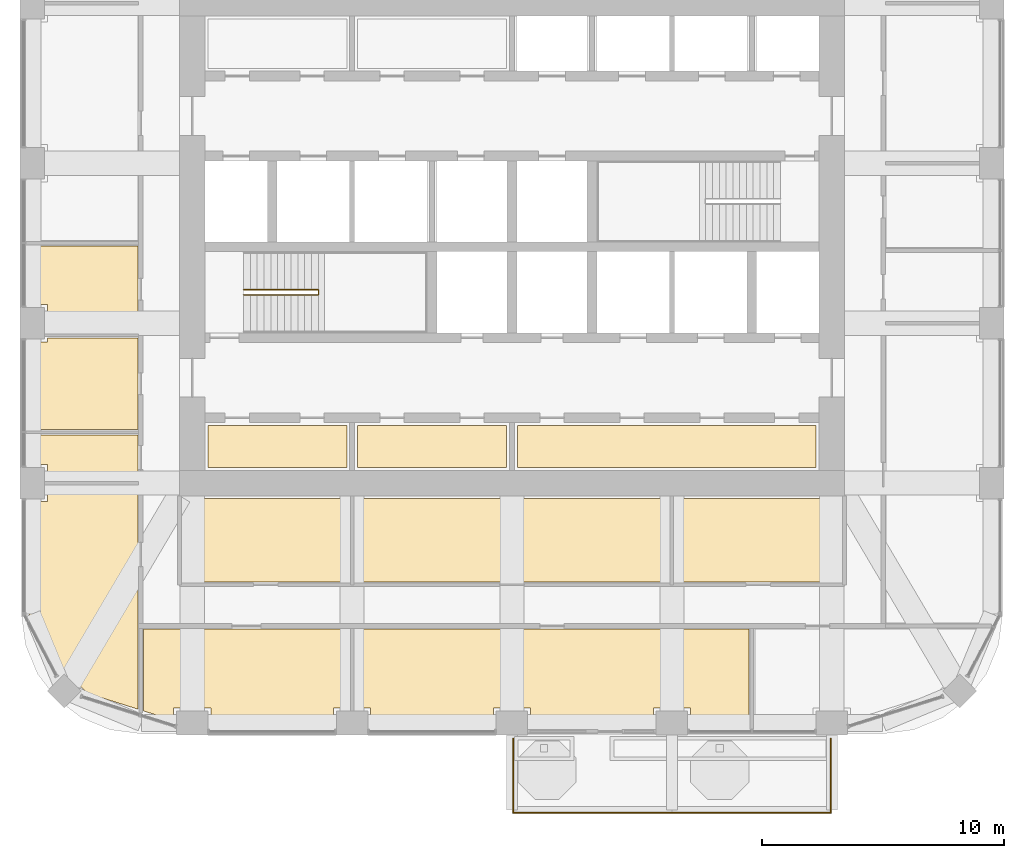
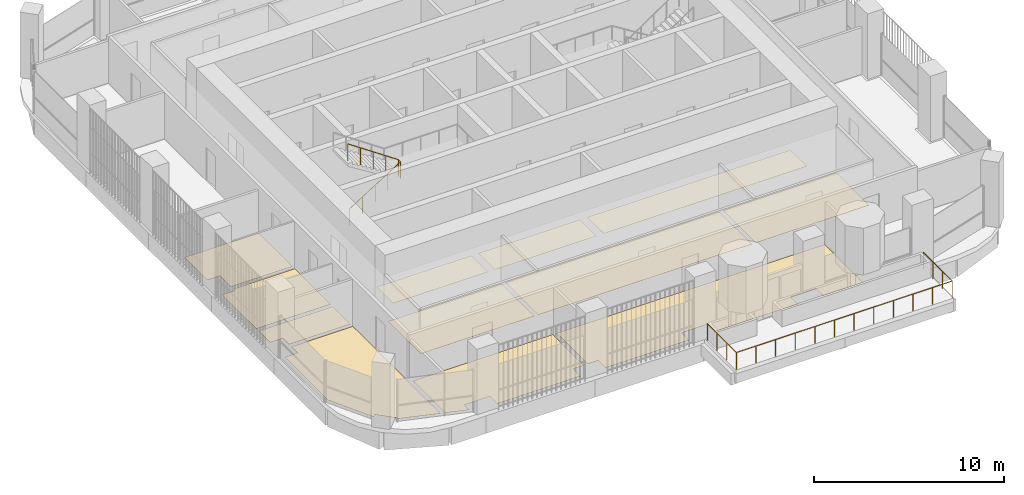
# One storey, part 18 of 21: 12 coverings, 2 railings.
"""IFC4 building model written with IfcOpenShell, lengths in metres."""

import ifcopenshell
import ifcopenshell.guid

model = None  # the IFC model being written
_history = None  # IfcOwnerHistory: only IFC2X3 demands one
_inside = {}  # id of a spatial element -> (the spatial element, [elements in it])
_under = {}  # id of a project, library or spatial element -> (it, [spatial elements below it])
_declared = {}  # id of a project -> (the project, [libraries it declares])
_typed = {}  # id of a type object -> (the type object, [elements of that type])
_made_of = {}  # id of a material, layer set ... -> (it, [elements and type objects made of it])


def new_model(schema):
    """Start an empty IFC model of exactly this schema.

    Asked for "IFC4X3", IfcOpenShell would pick the latest addendum, in which some entities
    have other attributes; the version numbers below select the first issue.
    IFC2X3 requires an IfcOwnerHistory on every rooted entity: one is made here for all.
    """
    global model, _history
    if schema == "IFC4X3":
        model = ifcopenshell.file(schema_version=(4, 3, 0, 0))
    else:
        model = ifcopenshell.file(schema=schema)
    _inside.clear()
    _under.clear()
    _declared.clear()
    _typed.clear()
    _made_of.clear()
    _history = None
    if model.schema == "IFC2X3":
        org = make("IfcOrganization", Name="unknown")
        user = make(
            "IfcPersonAndOrganization",
            ThePerson=make("IfcPerson", FamilyName="unknown"),
            TheOrganization=org,
        )
        app = make(
            "IfcApplication",
            ApplicationDeveloper=org,
            Version="unknown",
            ApplicationFullName="unknown",
            ApplicationIdentifier="unknown",
        )
        _history = make(
            "IfcOwnerHistory",
            OwningUser=user,
            OwningApplication=app,
            ChangeAction="ADDED",
            CreationDate=0,
        )
    return model


def make(cls, **values):
    """One entity of the class cls with the attributes given. An attribute that is None is left unset."""
    return model.create_entity(
        cls, **{name: value for name, value in values.items() if value is not None}
    )


def rooted(cls, **values):
    """An entity with a GlobalId (a new one), such as an element, a storey or a relation."""
    return make(cls, GlobalId=ifcopenshell.guid.new(), OwnerHistory=_history, **values)


def si_unit(unit_type, name, prefix=None):
    """IfcSIUnit, for example si_unit("LENGTHUNIT", "METRE", prefix="MILLI")."""
    return make("IfcSIUnit", UnitType=unit_type, Prefix=prefix, Name=name)


def assignment(units):
    """IfcUnitAssignment: the units of a project."""
    return None if units is None else make("IfcUnitAssignment", Units=units)


def point(xyz):
    """IfcCartesianPoint."""
    return None if xyz is None else make("IfcCartesianPoint", Coordinates=xyz)


def direction(xyz):
    """IfcDirection."""
    return None if xyz is None else make("IfcDirection", DirectionRatios=xyz)


def frame(location, z_axis=None, x_axis=None):
    """IfcAxis2Placement3D, a coordinate frame: its origin and axes. An axis left out is left unset."""
    return make(
        "IfcAxis2Placement3D",
        Location=point(location),
        Axis=direction(z_axis),
        RefDirection=direction(x_axis),
    )


def origin():
    """The frame at (0, 0, 0) with its axes left unset."""
    return frame((0.0, 0.0, 0.0))


def place(relative_to, where):
    """IfcLocalPlacement: puts the frame where relative to a parent placement (None: the world)."""
    return make(
        "IfcLocalPlacement", PlacementRelTo=relative_to, RelativePlacement=where
    )


def context(
    kind, dimensions, precision=None, world=None, true_north=None, identifier=None
):
    """IfcGeometricRepresentationContext, for example the 3D "Model" context."""
    return make(
        "IfcGeometricRepresentationContext",
        ContextIdentifier=identifier,
        ContextType=kind,
        CoordinateSpaceDimension=dimensions,
        Precision=precision,
        WorldCoordinateSystem=world,
        TrueNorth=true_north,
    )


def subcontext(parent, identifier, kind, view, scale=None):
    """IfcGeometricRepresentationSubContext, for example "Body" below "Model"."""
    return make(
        "IfcGeometricRepresentationSubContext",
        ContextIdentifier=identifier,
        ContextType=kind,
        ParentContext=parent,
        TargetScale=scale,
        TargetView=view,
    )


def project(units=None, contexts=None):
    """IfcProject with its units and contexts."""
    return rooted(
        "IfcProject",
        Name="project",
        RepresentationContexts=contexts,
        UnitsInContext=assignment(units),
    )


def spatial(cls, under=None, at=None, **own):
    """A site, building, storey or space (cls), placed at a placement, below another one or the project."""
    s = rooted(cls, ObjectPlacement=at, **own)
    if under is not None:
        _under.setdefault(under.id(), (under, []))[1].append(s)
    return s


def polyline(points):
    """IfcPolyline through the points."""
    return make("IfcPolyline", Points=[point(p) for p in points])


def outline(outer, holes=None, kind="AREA"):
    """IfcArbitraryClosedProfileDef: a profile drawn as a closed curve; with holes, ...WithVoids."""
    if holes is None:
        return make("IfcArbitraryClosedProfileDef", ProfileType=kind, OuterCurve=outer)
    return make(
        "IfcArbitraryProfileDefWithVoids",
        ProfileType=kind,
        OuterCurve=outer,
        InnerCurves=holes,
    )


def extrude(swept, where, along, depth):
    """IfcExtrudedAreaSolid: the profile swept, set in the frame where, extruded along a direction by depth."""
    return make(
        "IfcExtrudedAreaSolid",
        SweptArea=swept,
        Position=where,
        ExtrudedDirection=direction(along),
        Depth=depth,
    )


def shape(context_of_items, identifier, shape_type, items):
    """IfcShapeRepresentation: the items that make up one representation, for example the "Body"."""
    return make(
        "IfcShapeRepresentation",
        ContextOfItems=context_of_items,
        RepresentationIdentifier=identifier,
        RepresentationType=shape_type,
        Items=items,
    )


def material(Name=None, Category=None):
    """IfcMaterial."""
    return make("IfcMaterial", Name=Name, Category=Category)


def layer(
    of_material, thickness, ventilated=None, Name=None, Category=None, Priority=None
):
    """IfcMaterialLayer: one layer of a wall or slab, of a material (None: an air gap)."""
    return make(
        "IfcMaterialLayer",
        Material=of_material,
        LayerThickness=thickness,
        IsVentilated=ventilated,
        Name=Name,
        Category=Category,
        Priority=Priority,
    )


def layer_set(layers, Name=None):
    """IfcMaterialLayerSet."""
    return make("IfcMaterialLayerSet", MaterialLayers=layers, LayerSetName=Name)


def made_of(thing, what):
    """Note that an element or type object is made of a material, layer set ...; save() writes the relation."""
    if what is not None:
        _made_of.setdefault(what.id(), (what, []))[1].append(thing)
    return thing


def type_object(cls, material=None, **own):
    """A type object (cls), such as IfcWallType, which elements share."""
    return made_of(rooted(cls, **own), material)


def element(
    cls,
    number,
    at=None,
    inside=None,
    cuts=None,
    type_object=None,
    material=None,
    context=None,
    identifier="Body",
    shape_type=None,
    held_by="IfcProductDefinitionShape",
    body=None,
    shapes=None,
    **own,
):
    """One element of the class cls, such as IfcWall. Its Tag is "e" and its number.

    at: its placement. inside: the storey or other place that contains it. cuts: it is an
    opening in that element (IfcRelVoidsElement). A single representation is given by context,
    identifier, shape_type and body (its items); several are given by shapes. held_by: the class
    of the entity that holds the representations. save() writes the other relations.
    """
    e = rooted(cls, Tag="e%d" % number, ObjectPlacement=at, **own)
    if body is not None:
        shapes = [shape(context, identifier, shape_type, body)]
    if shapes is not None:
        e.Representation = make(held_by, Representations=shapes)
    if inside is not None:
        _inside.setdefault(inside.id(), (inside, []))[1].append(e)
    if cuts is not None:
        rooted(
            "IfcRelVoidsElement", RelatingBuildingElement=cuts, RelatedOpeningElement=e
        )
    if type_object is not None:
        _typed.setdefault(type_object.id(), (type_object, []))[1].append(e)
    return made_of(e, material)


def aggregate(whole, parts):
    """IfcRelAggregates: a whole, such as a stair, and the parts it consists of."""
    return rooted("IfcRelAggregates", RelatingObject=whole, RelatedObjects=parts)


def save(model, path):
    """Write the relations noted so far, then the file.

    IfcRelAggregates (storeys below a building ...), IfcRelContainedInSpatialStructure (elements
    in a storey), IfcRelDefinesByType, IfcRelAssociatesMaterial and IfcRelDeclares: one each for
    every whole, place, type object, material and project.
    """
    for whole, parts in _under.values():
        aggregate(whole, parts)
    for where, things in _inside.values():
        rooted(
            "IfcRelContainedInSpatialStructure",
            RelatedElements=things,
            RelatingStructure=where,
        )
    for kind, things in _typed.values():
        rooted("IfcRelDefinesByType", RelatedObjects=things, RelatingType=kind)
    for what, things in _made_of.values():
        rooted("IfcRelAssociatesMaterial", RelatedObjects=things, RelatingMaterial=what)
    for by, libraries in _declared.values():
        rooted("IfcRelDeclares", RelatingContext=by, RelatedDefinitions=libraries)
    model.write(path)


model = new_model("IFC4")

# Units and contexts
model_context = context("Model", 3, precision=1e-05, world=origin(), true_north=direction((0.0, 1.0)))
body_context = subcontext(model_context, "Body", "Model", "MODEL_VIEW")
ifc_project = project(units=[si_unit("LENGTHUNIT", "METRE"), si_unit("AREAUNIT", "SQUARE_METRE"), si_unit("VOLUMEUNIT", "CUBIC_METRE"), si_unit("PLANEANGLEUNIT", "RADIAN"), si_unit("MASSUNIT", "GRAM", prefix="KILO")], contexts=[model_context])

# Site, building, storey
site_placement = place(None, origin())
site = spatial("IfcSite", under=ifc_project, at=site_placement, CompositionType="ELEMENT")
building_placement = place(site_placement, origin())
building = spatial("IfcBuilding", under=site, at=building_placement, Name="Cobogo Forest Laboratory Tower", CompositionType="ELEMENT")
storey_placement = place(building_placement, frame((0.0, 0.0, 241.800048828125)))
storey = spatial("IfcBuildingStorey", under=building, at=storey_placement, Name="L55", CompositionType="ELEMENT", Elevation=241.800048828125)

# Railing
ifc_material_1 = material(Name="Laminated glass balustrade", Category="glass")
railing_type_1 = type_object("IfcRailingType", Name="BG1 glass balustrade 1100", PredefinedType="GUARDRAIL", material=ifc_material_1)
railing_1_placement = place(storey_placement, frame((26.449951171875, 2.64990234375, 0.0)))
element("IfcRailing", 1, at=railing_1_placement, inside=storey, type_object=railing_type_1, Name="Balcony balustrade BAL-S1 L55", PredefinedType="GUARDRAIL", context=body_context, shape_type="SweptSolid", body=[
    extrude(outline(polyline([(0.022216796875, 0.00927734375), (0.00927734375, 0.022216796875), (-0.00927734375, 0.022216796875), (-0.022216796875, 0.00927734375), (-0.022216796875, -0.00927734375), (-0.00927734375, -0.022216796875), (0.00927734375, -0.022216796875), (0.022216796875, -0.00927734375), (0.022216796875, 0.00927734375)])), frame((0.0, 0.0, 1.077880859375), z_axis=(0.0, -1.0, 0.0), x_axis=(1.0, 0.0, 0.0)), (0.0, 0.0, 1.0), 3.0498046875),
    extrude(outline(polyline([(0.022216796875, 0.00927734375), (0.00927734375, 0.022216796875), (-0.00927734375, 0.022216796875), (-0.022216796875, 0.00927734375), (-0.022216796875, -0.00927734375), (-0.00927734375, -0.022216796875), (0.00927734375, -0.022216796875), (0.022216796875, -0.00927734375), (0.022216796875, 0.00927734375)])), frame((0.0, -3.0498046875, 1.077880859375), z_axis=(1.0, 0.0, 0.0), x_axis=(0.0, 1.0, 0.0)), (0.0, 0.0, 1.0), 13.10009765625),
    extrude(outline(polyline([(0.022216796875, 0.00927734375), (0.00927734375, 0.022216796875), (-0.00927734375, 0.022216796875), (-0.022216796875, 0.00927734375), (-0.022216796875, -0.00927734375), (-0.00927734375, -0.022216796875), (0.00927734375, -0.022216796875), (0.022216796875, -0.00927734375), (0.022216796875, 0.00927734375)])), frame((13.10009765625, -3.0498046875, 1.077880859375), z_axis=(0.0, 1.0, 0.0), x_axis=(-1.0, 0.0, 0.0)), (0.0, 0.0, 1.0), 3.0498046875),
    extrude(outline(polyline([(0.019287109375, 0.008056640625), (0.008056640625, 0.019287109375), (-0.008056640625, 0.019287109375), (-0.019287109375, 0.008056640625), (-0.019287109375, -0.008056640625), (-0.008056640625, -0.019287109375), (0.008056640625, -0.019287109375), (0.019287109375, -0.008056640625), (0.019287109375, 0.008056640625)])), origin(), (0.0, 0.0, 1.0), 1.077880859375),
    extrude(outline(polyline([(0.019287109375, 0.008056640625), (0.008056640625, 0.019287109375), (-0.008056640625, 0.019287109375), (-0.019287109375, 0.008056640625), (-0.019287109375, -0.008056640625), (-0.008056640625, -0.019287109375), (0.008056640625, -0.019287109375), (0.019287109375, -0.008056640625), (0.019287109375, 0.008056640625)])), frame((0.0, -1.0166015625, 0.0)), (0.0, 0.0, 1.0), 1.077880859375),
    extrude(outline(polyline([(0.019287109375, 0.008056640625), (0.008056640625, 0.019287109375), (-0.008056640625, 0.019287109375), (-0.019287109375, 0.008056640625), (-0.019287109375, -0.008056640625), (-0.008056640625, -0.019287109375), (0.008056640625, -0.019287109375), (0.019287109375, -0.008056640625), (0.019287109375, 0.008056640625)])), frame((0.0, -2.033203125, 0.0)), (0.0, 0.0, 1.0), 1.077880859375),
    extrude(outline(polyline([(0.019287109375, 0.008056640625), (0.008056640625, 0.019287109375), (-0.008056640625, 0.019287109375), (-0.019287109375, 0.008056640625), (-0.019287109375, -0.008056640625), (-0.008056640625, -0.019287109375), (0.008056640625, -0.019287109375), (0.019287109375, -0.008056640625), (0.019287109375, 0.008056640625)])), frame((0.0, -3.0498046875, 0.0)), (0.0, 0.0, 1.0), 1.077880859375),
    extrude(outline(polyline([(0.019287109375, 0.008056640625), (0.008056640625, 0.019287109375), (-0.008056640625, 0.019287109375), (-0.019287109375, 0.008056640625), (-0.019287109375, -0.008056640625), (-0.008056640625, -0.019287109375), (0.008056640625, -0.019287109375), (0.019287109375, -0.008056640625), (0.019287109375, 0.008056640625)])), frame((1.19091796875, -3.0498046875, 0.0)), (0.0, 0.0, 1.0), 1.077880859375),
    extrude(outline(polyline([(0.019287109375, 0.008056640625), (0.008056640625, 0.019287109375), (-0.008056640625, 0.019287109375), (-0.019287109375, 0.008056640625), (-0.019287109375, -0.008056640625), (-0.008056640625, -0.019287109375), (0.008056640625, -0.019287109375), (0.019287109375, -0.008056640625), (0.019287109375, 0.008056640625)])), frame((2.3818359375, -3.0498046875, 0.0)), (0.0, 0.0, 1.0), 1.077880859375),
    extrude(outline(polyline([(0.019287109375, 0.008056640625), (0.008056640625, 0.019287109375), (-0.008056640625, 0.019287109375), (-0.019287109375, 0.008056640625), (-0.019287109375, -0.008056640625), (-0.008056640625, -0.019287109375), (0.008056640625, -0.019287109375), (0.019287109375, -0.008056640625), (0.019287109375, 0.008056640625)])), frame((3.57275390625, -3.0498046875, 0.0)), (0.0, 0.0, 1.0), 1.077880859375),
    extrude(outline(polyline([(0.019287109375, 0.008056640625), (0.008056640625, 0.019287109375), (-0.008056640625, 0.019287109375), (-0.019287109375, 0.008056640625), (-0.019287109375, -0.008056640625), (-0.008056640625, -0.019287109375), (0.008056640625, -0.019287109375), (0.019287109375, -0.008056640625), (0.019287109375, 0.008056640625)])), frame((4.763671875, -3.0498046875, 0.0)), (0.0, 0.0, 1.0), 1.077880859375),
    extrude(outline(polyline([(0.019287109375, 0.008056640625), (0.008056640625, 0.019287109375), (-0.008056640625, 0.019287109375), (-0.019287109375, 0.008056640625), (-0.019287109375, -0.008056640625), (-0.008056640625, -0.019287109375), (0.008056640625, -0.019287109375), (0.019287109375, -0.008056640625), (0.019287109375, 0.008056640625)])), frame((5.95458984375, -3.0498046875, 0.0)), (0.0, 0.0, 1.0), 1.077880859375),
    extrude(outline(polyline([(0.019287109375, 0.008056640625), (0.008056640625, 0.019287109375), (-0.008056640625, 0.019287109375), (-0.019287109375, 0.008056640625), (-0.019287109375, -0.008056640625), (-0.008056640625, -0.019287109375), (0.008056640625, -0.019287109375), (0.019287109375, -0.008056640625), (0.019287109375, 0.008056640625)])), frame((7.1455078125, -3.0498046875, 0.0)), (0.0, 0.0, 1.0), 1.077880859375),
    extrude(outline(polyline([(0.019287109375, 0.008056640625), (0.008056640625, 0.019287109375), (-0.008056640625, 0.019287109375), (-0.019287109375, 0.008056640625), (-0.019287109375, -0.008056640625), (-0.008056640625, -0.019287109375), (0.008056640625, -0.019287109375), (0.019287109375, -0.008056640625), (0.019287109375, 0.008056640625)])), frame((8.33642578125, -3.0498046875, 0.0)), (0.0, 0.0, 1.0), 1.077880859375),
    extrude(outline(polyline([(0.019287109375, 0.008056640625), (0.008056640625, 0.019287109375), (-0.008056640625, 0.019287109375), (-0.019287109375, 0.008056640625), (-0.019287109375, -0.008056640625), (-0.008056640625, -0.019287109375), (0.008056640625, -0.019287109375), (0.019287109375, -0.008056640625), (0.019287109375, 0.008056640625)])), frame((9.52734375, -3.0498046875, 0.0)), (0.0, 0.0, 1.0), 1.077880859375),
    extrude(outline(polyline([(0.019287109375, 0.008056640625), (0.008056640625, 0.019287109375), (-0.008056640625, 0.019287109375), (-0.019287109375, 0.008056640625), (-0.019287109375, -0.008056640625), (-0.008056640625, -0.019287109375), (0.008056640625, -0.019287109375), (0.019287109375, -0.008056640625), (0.019287109375, 0.008056640625)])), frame((10.71826171875, -3.0498046875, 0.0)), (0.0, 0.0, 1.0), 1.077880859375),
    extrude(outline(polyline([(0.019287109375, 0.008056640625), (0.008056640625, 0.019287109375), (-0.008056640625, 0.019287109375), (-0.019287109375, 0.008056640625), (-0.019287109375, -0.008056640625), (-0.008056640625, -0.019287109375), (0.008056640625, -0.019287109375), (0.019287109375, -0.008056640625), (0.019287109375, 0.008056640625)])), frame((11.9091796875, -3.0498046875, 0.0)), (0.0, 0.0, 1.0), 1.077880859375),
    extrude(outline(polyline([(0.019287109375, 0.008056640625), (0.008056640625, 0.019287109375), (-0.008056640625, 0.019287109375), (-0.019287109375, 0.008056640625), (-0.019287109375, -0.008056640625), (-0.008056640625, -0.019287109375), (0.008056640625, -0.019287109375), (0.019287109375, -0.008056640625), (0.019287109375, 0.008056640625)])), frame((13.10009765625, -3.0498046875, 0.0)), (0.0, 0.0, 1.0), 1.077880859375),
    extrude(outline(polyline([(0.019287109375, 0.008056640625), (0.008056640625, 0.019287109375), (-0.008056640625, 0.019287109375), (-0.019287109375, 0.008056640625), (-0.019287109375, -0.008056640625), (-0.008056640625, -0.019287109375), (0.008056640625, -0.019287109375), (0.019287109375, -0.008056640625), (0.019287109375, 0.008056640625)])), frame((13.10009765625, -2.033203125, 0.0)), (0.0, 0.0, 1.0), 1.077880859375),
    extrude(outline(polyline([(0.019287109375, 0.008056640625), (0.008056640625, 0.019287109375), (-0.008056640625, 0.019287109375), (-0.019287109375, 0.008056640625), (-0.019287109375, -0.008056640625), (-0.008056640625, -0.019287109375), (0.008056640625, -0.019287109375), (0.019287109375, -0.008056640625), (0.019287109375, 0.008056640625)])), frame((13.10009765625, -1.0166015625, 0.0)), (0.0, 0.0, 1.0), 1.077880859375),
    extrude(outline(polyline([(0.019287109375, 0.008056640625), (0.008056640625, 0.019287109375), (-0.008056640625, 0.019287109375), (-0.019287109375, 0.008056640625), (-0.019287109375, -0.008056640625), (-0.008056640625, -0.019287109375), (0.008056640625, -0.019287109375), (0.019287109375, -0.008056640625), (0.019287109375, 0.008056640625)])), frame((13.10009765625, 0.0, 0.0)), (0.0, 0.0, 1.0), 1.077880859375),
])

# Coverings
ifc_material_2 = material(Name="Carpet tile on raised access floor", Category="flooring")
ifc_layer_1 = layer(ifc_material_2, 0.008056640625)
ifc_layer_set_1 = layer_set([ifc_layer_1], Name="CT1 carpet tile floor 8")
covering_type_1 = type_object("IfcCoveringType", Name="CT1 carpet tile floor 8", PredefinedType="FLOORING", material=ifc_layer_set_1)
covering_1_placement = place(storey_placement, origin())
element("IfcCovering", 2, at=covering_1_placement, inside=storey, type_object=covering_type_1, Name="Carpet floor L55-05", PredefinedType="FLOORING", context=body_context, shape_type="SweptSolid", body=[
    extrude(outline(polyline([(19.679931640625, 9.1201171875), (12.794921875, 9.1201171875), (12.794921875, 12.554931640625), (19.679931640625, 12.554931640625), (19.679931640625, 9.1201171875)])), origin(), (0.0, 0.0, 1.0), 0.008056640625),
])
covering_2_placement = place(storey_placement, origin())
element("IfcCovering", 3, at=covering_2_placement, inside=storey, type_object=covering_type_1, Name="Carpet floor L55-06", PredefinedType="FLOORING", context=body_context, shape_type="SweptSolid", body=[
    extrude(outline(polyline([(32.8798828125, 9.1201171875), (19.919921875, 9.1201171875), (19.919921875, 12.554931640625), (32.8798828125, 12.554931640625), (32.8798828125, 9.1201171875)])), origin(), (0.0, 0.0, 1.0), 0.008056640625),
])
covering_3_placement = place(storey_placement, origin())
element("IfcCovering", 4, at=covering_3_placement, inside=storey, type_object=covering_type_1, Name="Carpet floor L55-07", PredefinedType="FLOORING", context=body_context, shape_type="SweptSolid", body=[
    extrude(outline(polyline([(40.0048828125, 9.1201171875), (33.1201171875, 9.1201171875), (33.1201171875, 12.554931640625), (40.0048828125, 12.554931640625), (40.0048828125, 9.1201171875)])), origin(), (0.0, 0.0, 1.0), 0.008056640625),
])
covering_4_placement = place(storey_placement, origin())
element("IfcCovering", 5, at=covering_4_placement, inside=storey, type_object=covering_type_1, Name="Carpet floor L55-09", PredefinedType="FLOORING", context=body_context, shape_type="SweptSolid", body=[
    extrude(outline(polyline([(36.179931640625, 7.179931640625), (36.179931640625, 3.14990234375), (33.77001953125, 3.14990234375), (33.77001953125, 3.919921875), (32.22998046875, 3.919921875), (32.22998046875, 3.14990234375), (27.169921875, 3.14990234375), (27.169921875, 3.919921875), (25.6298828125, 3.919921875), (25.6298828125, 3.14990234375), (20.570068359375, 3.14990234375), (20.570068359375, 3.919921875), (19.919921875, 3.919921875), (19.919921875, 7.179931640625), (36.179931640625, 7.179931640625)])), origin(), (0.0, 0.0, 1.0), 0.008056640625),
])
covering_5_placement = place(storey_placement, origin())
element("IfcCovering", 6, at=covering_5_placement, inside=storey, type_object=covering_type_1, Name="Carpet floor L55-22", PredefinedType="FLOORING", context=body_context, shape_type="SweptSolid", body=[
    extrude(outline(polyline([(8.743896484375, 4.56689453125), (8.794921875, 4.617919921875), (7.91796875, 5.494873046875), (7.7646484375, 5.34130859375), (6.449951171875, 7.84912109375), (6.449951171875, 12.429931640625), (7.219970703125, 12.429931640625), (7.219970703125, 13.080078125), (10.955078125, 13.080078125), (10.955078125, 3.86865234375), (8.743896484375, 4.56689453125)])), origin(), (0.0, 0.0, 1.0), 0.008056640625),
])
covering_6_placement = place(storey_placement, origin())
element("IfcCovering", 7, at=covering_6_placement, inside=storey, type_object=covering_type_1, Name="Carpet floor L55-35", PredefinedType="FLOORING", context=body_context, shape_type="SweptSolid", body=[
    extrude(outline(polyline([(19.580078125, 13.844970703125), (13.844970703125, 13.844970703125), (13.844970703125, 15.580078125), (19.580078125, 15.580078125), (19.580078125, 13.844970703125)])), origin(), (0.0, 0.0, 1.0), 0.008056640625),
])
covering_7_placement = place(storey_placement, origin())
element("IfcCovering", 8, at=covering_7_placement, inside=storey, type_object=covering_type_1, Name="Carpet floor L55-36", PredefinedType="FLOORING", context=body_context, shape_type="SweptSolid", body=[
    extrude(outline(polyline([(26.179931640625, 13.844970703125), (20.02001953125, 13.844970703125), (20.02001953125, 15.580078125), (26.179931640625, 15.580078125), (26.179931640625, 13.844970703125)])), origin(), (0.0, 0.0, 1.0), 0.008056640625),
])
covering_8_placement = place(storey_placement, origin())
element("IfcCovering", 9, at=covering_8_placement, inside=storey, type_object=covering_type_1, Name="Carpet floor L55-37", PredefinedType="FLOORING", context=body_context, shape_type="SweptSolid", body=[
    extrude(outline(polyline([(38.955078125, 13.844970703125), (26.6201171875, 13.844970703125), (26.6201171875, 15.580078125), (38.955078125, 15.580078125), (38.955078125, 13.844970703125)])), origin(), (0.0, 0.0, 1.0), 0.008056640625),
])

# Railing
ifc_material_3 = material(Name="Steel balustrade", Category="steel")
railing_type_2 = type_object("IfcRailingType", Name="GR stair guard 1100", PredefinedType="GUARDRAIL", material=ifc_material_3)
railing_2_placement = place(storey_placement, frame((15.324951171875, 20.969970703125, 0.175048828125)))
element("IfcRailing", 10, at=railing_2_placement, inside=storey, type_object=railing_type_2, Name="Stair guard ST1 L55", PredefinedType="GUARDRAIL", context=body_context, shape_type="SweptSolid", body=[
    extrude(outline(polyline([(0.022216796875, 0.00927734375), (0.00927734375, 0.022216796875), (-0.00927734375, 0.022216796875), (-0.022216796875, 0.00927734375), (-0.022216796875, -0.00927734375), (-0.00927734375, -0.022216796875), (0.00927734375, -0.022216796875), (0.022216796875, -0.00927734375), (0.022216796875, 0.00927734375)])), frame((0.0, 0.0, 1.077880859375), z_axis=(0.848028513186, 0.0, 0.529950602248), x_axis=(0.0, 1.0, 0.0)), (0.0, 0.0, 1.0), 3.632080078125),
    extrude(outline(polyline([(0.022216796875, 0.00927734375), (0.00927734375, 0.022216796875), (-0.00927734375, 0.022216796875), (-0.022216796875, 0.00927734375), (-0.022216796875, -0.00927734375), (-0.00927734375, -0.022216796875), (0.00927734375, -0.022216796875), (0.022216796875, -0.00927734375), (0.022216796875, 0.00927734375)])), frame((3.080078125, 0.0, 3.002685546875), z_axis=(0.0, 1.0, 0.0), x_axis=(-1.0, 0.0, 0.0)), (0.0, 0.0, 1.0), 0.2099609375),
    extrude(outline(polyline([(0.022216796875, 0.00927734375), (0.00927734375, 0.022216796875), (-0.00927734375, 0.022216796875), (-0.022216796875, 0.00927734375), (-0.022216796875, -0.00927734375), (-0.00927734375, -0.022216796875), (0.00927734375, -0.022216796875), (0.022216796875, -0.00927734375), (0.022216796875, 0.00927734375)])), frame((3.080078125, 0.2099609375, 3.002685546875), z_axis=(-0.826221800596, 0.0, 0.563344953133), x_axis=(0.0, -1.0, 0.0)), (0.0, 0.0, 1.0), 3.72802734375),
    extrude(outline(polyline([(0.019287109375, 0.008056640625), (0.008056640625, 0.019287109375), (-0.008056640625, 0.019287109375), (-0.019287109375, 0.008056640625), (-0.019287109375, -0.008056640625), (-0.008056640625, -0.019287109375), (0.008056640625, -0.019287109375), (0.019287109375, -0.008056640625), (0.019287109375, 0.008056640625)])), origin(), (0.0, 0.0, 1.0), 1.077880859375),
    extrude(outline(polyline([(0.019287109375, 0.008056640625), (0.008056640625, 0.019287109375), (-0.008056640625, 0.019287109375), (-0.019287109375, 0.008056640625), (-0.019287109375, -0.008056640625), (-0.008056640625, -0.019287109375), (0.008056640625, -0.019287109375), (0.019287109375, -0.008056640625), (0.019287109375, 0.008056640625)])), frame((0.77001953125, 0.0, 0.481201171875)), (0.0, 0.0, 1.0), 1.077880859375),
    extrude(outline(polyline([(0.019287109375, 0.008056640625), (0.008056640625, 0.019287109375), (-0.008056640625, 0.019287109375), (-0.019287109375, 0.008056640625), (-0.019287109375, -0.008056640625), (-0.008056640625, -0.019287109375), (0.008056640625, -0.019287109375), (0.019287109375, -0.008056640625), (0.019287109375, 0.008056640625)])), frame((1.5400390625, 0.0, 0.96240234375)), (0.0, 0.0, 1.0), 1.077880859375),
    extrude(outline(polyline([(0.019287109375, 0.008056640625), (0.008056640625, 0.019287109375), (-0.008056640625, 0.019287109375), (-0.019287109375, 0.008056640625), (-0.019287109375, -0.008056640625), (-0.008056640625, -0.019287109375), (0.008056640625, -0.019287109375), (0.019287109375, -0.008056640625), (0.019287109375, 0.008056640625)])), frame((2.31005859375, 0.0, 1.443603515625)), (0.0, 0.0, 1.0), 1.077880859375),
    extrude(outline(polyline([(0.019287109375, 0.008056640625), (0.008056640625, 0.019287109375), (-0.008056640625, 0.019287109375), (-0.019287109375, 0.008056640625), (-0.019287109375, -0.008056640625), (-0.008056640625, -0.019287109375), (0.008056640625, -0.019287109375), (0.019287109375, -0.008056640625), (0.019287109375, 0.008056640625)])), frame((3.080078125, 0.0, 1.9248046875)), (0.0, 0.0, 1.0), 1.077880859375),
    extrude(outline(polyline([(0.019287109375, 0.008056640625), (0.008056640625, 0.019287109375), (-0.008056640625, 0.019287109375), (-0.019287109375, 0.008056640625), (-0.019287109375, -0.008056640625), (-0.008056640625, -0.019287109375), (0.008056640625, -0.019287109375), (0.019287109375, -0.008056640625), (0.019287109375, 0.008056640625)])), frame((3.080078125, 0.2099609375, 1.9248046875)), (0.0, 0.0, 1.0), 1.077880859375),
    extrude(outline(polyline([(0.019287109375, 0.008056640625), (0.008056640625, 0.019287109375), (-0.008056640625, 0.019287109375), (-0.019287109375, 0.008056640625), (-0.019287109375, -0.008056640625), (-0.008056640625, -0.019287109375), (0.008056640625, -0.019287109375), (0.019287109375, -0.008056640625), (0.019287109375, 0.008056640625)])), frame((2.31005859375, 0.2099609375, 2.44970703125)), (0.0, 0.0, 1.0), 1.077880859375),
    extrude(outline(polyline([(0.019287109375, 0.008056640625), (0.008056640625, 0.019287109375), (-0.008056640625, 0.019287109375), (-0.019287109375, 0.008056640625), (-0.019287109375, -0.008056640625), (-0.008056640625, -0.019287109375), (0.008056640625, -0.019287109375), (0.019287109375, -0.008056640625), (0.019287109375, 0.008056640625)])), frame((1.5400390625, 0.2099609375, 2.974853515625)), (0.0, 0.0, 1.0), 1.077880859375),
    extrude(outline(polyline([(0.019287109375, 0.008056640625), (0.008056640625, 0.019287109375), (-0.008056640625, 0.019287109375), (-0.019287109375, 0.008056640625), (-0.019287109375, -0.008056640625), (-0.008056640625, -0.019287109375), (0.008056640625, -0.019287109375), (0.019287109375, -0.008056640625), (0.019287109375, 0.008056640625)])), frame((0.77001953125, 0.2099609375, 3.5)), (0.0, 0.0, 1.0), 1.077880859375),
    extrude(outline(polyline([(0.019287109375, 0.008056640625), (0.008056640625, 0.019287109375), (-0.008056640625, 0.019287109375), (-0.019287109375, 0.008056640625), (-0.019287109375, -0.008056640625), (-0.008056640625, -0.019287109375), (0.008056640625, -0.019287109375), (0.019287109375, -0.008056640625), (0.019287109375, 0.008056640625)])), frame((0.0, 0.2099609375, 4.02490234375)), (0.0, 0.0, 1.0), 1.077880859375),
])

# Coverings
ifc_material_4 = material(Name="Epoxy resin flooring", Category="flooring")
ifc_layer_2 = layer(ifc_material_4, 0.00390625)
ifc_layer_set_2 = layer_set([ifc_layer_2], Name="LF1 epoxy laboratory floor 4")
covering_type_2 = type_object("IfcCoveringType", Name="LF1 epoxy laboratory floor 4", PredefinedType="FLOORING", material=ifc_layer_set_2)
covering_9_placement = place(storey_placement, origin())
element("IfcCovering", 11, at=covering_9_placement, inside=storey, type_object=covering_type_2, Name="Epoxy laboratory floor L55-08", PredefinedType="FLOORING", context=body_context, shape_type="SweptSolid", body=[
    extrude(outline(polyline([(19.679931640625, 7.179931640625), (19.679931640625, 3.919921875), (19.030029296875, 3.919921875), (19.030029296875, 3.14990234375), (13.969970703125, 3.14990234375), (13.969970703125, 3.919921875), (12.429931640625, 3.919921875), (12.429931640625, 3.40283203125), (11.195068359375, 3.79296875), (11.195068359375, 7.179931640625), (19.679931640625, 7.179931640625)])), origin(), (0.0, 0.0, 1.0), 0.00390625),
])
ifc_material_5 = material(Name="Ceramic floor tile", Category="flooring")
ifc_layer_3 = layer(ifc_material_5, 0.010009765625)
ifc_layer_set_3 = layer_set([ifc_layer_3], Name="TF1 ceramic tile floor 10")
covering_type_3 = type_object("IfcCoveringType", Name="TF1 ceramic tile floor 10", PredefinedType="FLOORING", material=ifc_layer_set_3)
covering_10_placement = place(storey_placement, origin())
element("IfcCovering", 12, at=covering_10_placement, inside=storey, type_object=covering_type_3, Name="Tile floor L55-23", PredefinedType="FLOORING", context=body_context, shape_type="SweptSolid", body=[
    extrude(outline(polyline([(10.955078125, 13.320068359375), (7.219970703125, 13.320068359375), (7.219970703125, 13.969970703125), (6.449951171875, 13.969970703125), (6.449951171875, 15.179931640625), (10.955078125, 15.179931640625), (10.955078125, 13.320068359375)])), origin(), (0.0, 0.0, 1.0), 0.010009765625),
])
covering_11_placement = place(storey_placement, origin())
element("IfcCovering", 13, at=covering_11_placement, inside=storey, type_object=covering_type_3, Name="Tile floor L55-24", PredefinedType="FLOORING", context=body_context, shape_type="SweptSolid", body=[
    extrude(outline(polyline([(10.955078125, 15.419921875), (6.449951171875, 15.419921875), (6.449951171875, 19.030029296875), (7.219970703125, 19.030029296875), (7.219970703125, 19.179931640625), (10.955078125, 19.179931640625), (10.955078125, 15.419921875)])), origin(), (0.0, 0.0, 1.0), 0.010009765625),
])
covering_12_placement = place(storey_placement, origin())
element("IfcCovering", 14, at=covering_12_placement, inside=storey, type_object=covering_type_3, Name="Tile floor L55-25", PredefinedType="FLOORING", context=body_context, shape_type="SweptSolid", body=[
    extrude(outline(polyline([(10.955078125, 19.419921875), (7.219970703125, 19.419921875), (7.219970703125, 20.570068359375), (6.449951171875, 20.570068359375), (6.449951171875, 22.97998046875), (10.955078125, 22.97998046875), (10.955078125, 19.419921875)])), origin(), (0.0, 0.0, 1.0), 0.010009765625),
])

save(model, "model.ifc")
